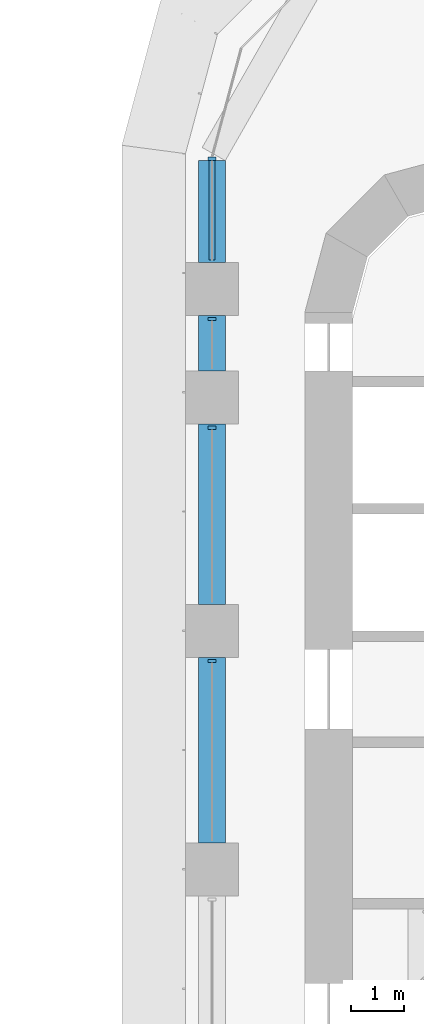
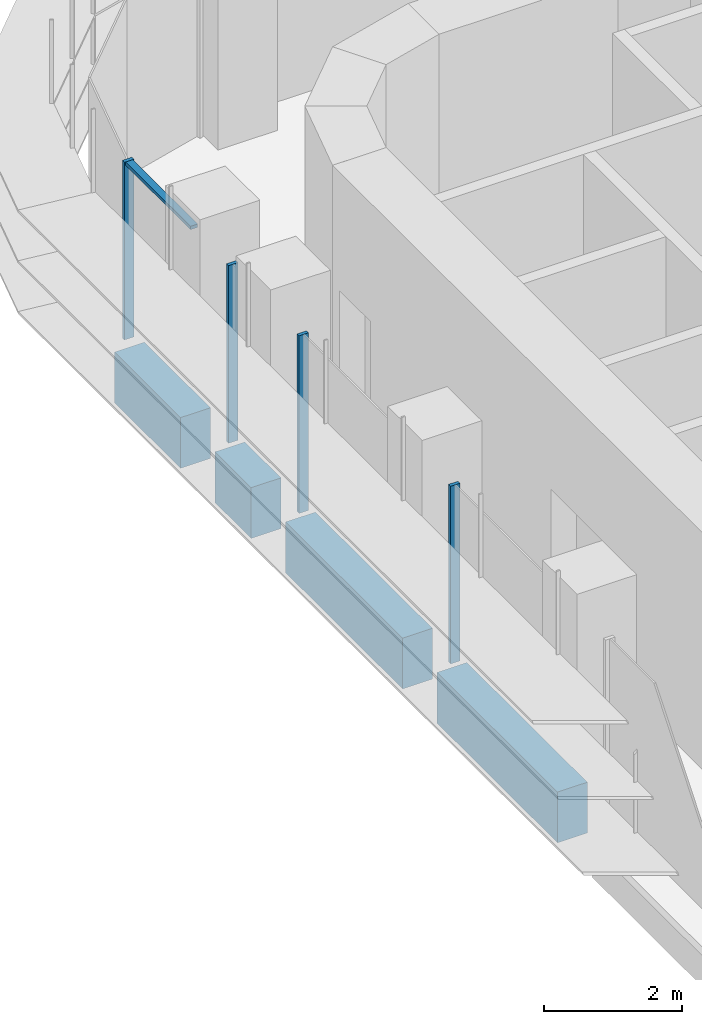
# One storey, part 7 of 23: 5 members, 4 beams, 1 element without a shape of its own.
"""IFC4 building model written with IfcOpenShell, lengths in metres."""

import ifcopenshell
import ifcopenshell.guid

model = None  # the IFC model being written
_history = None  # IfcOwnerHistory: only IFC2X3 demands one
_inside = {}  # id of a spatial element -> (the spatial element, [elements in it])
_under = {}  # id of a project, library or spatial element -> (it, [spatial elements below it])
_declared = {}  # id of a project -> (the project, [libraries it declares])
_typed = {}  # id of a type object -> (the type object, [elements of that type])
_made_of = {}  # id of a material, layer set ... -> (it, [elements and type objects made of it])


def new_model(schema):
    """Start an empty IFC model of exactly this schema.

    Asked for "IFC4X3", IfcOpenShell would pick the latest addendum, in which some entities
    have other attributes; the version numbers below select the first issue.
    IFC2X3 requires an IfcOwnerHistory on every rooted entity: one is made here for all.
    """
    global model, _history
    if schema == "IFC4X3":
        model = ifcopenshell.file(schema_version=(4, 3, 0, 0))
    else:
        model = ifcopenshell.file(schema=schema)
    _inside.clear()
    _under.clear()
    _declared.clear()
    _typed.clear()
    _made_of.clear()
    _history = None
    if model.schema == "IFC2X3":
        org = make("IfcOrganization", Name="unknown")
        user = make(
            "IfcPersonAndOrganization",
            ThePerson=make("IfcPerson", FamilyName="unknown"),
            TheOrganization=org,
        )
        app = make(
            "IfcApplication",
            ApplicationDeveloper=org,
            Version="unknown",
            ApplicationFullName="unknown",
            ApplicationIdentifier="unknown",
        )
        _history = make(
            "IfcOwnerHistory",
            OwningUser=user,
            OwningApplication=app,
            ChangeAction="ADDED",
            CreationDate=0,
        )
    return model


def make(cls, **values):
    """One entity of the class cls with the attributes given. An attribute that is None is left unset."""
    return model.create_entity(
        cls, **{name: value for name, value in values.items() if value is not None}
    )


def rooted(cls, **values):
    """An entity with a GlobalId (a new one), such as an element, a storey or a relation."""
    return make(cls, GlobalId=ifcopenshell.guid.new(), OwnerHistory=_history, **values)


def si_unit(unit_type, name, prefix=None):
    """IfcSIUnit, for example si_unit("LENGTHUNIT", "METRE", prefix="MILLI")."""
    return make("IfcSIUnit", UnitType=unit_type, Prefix=prefix, Name=name)


def assignment(units):
    """IfcUnitAssignment: the units of a project."""
    return None if units is None else make("IfcUnitAssignment", Units=units)


def point(xyz):
    """IfcCartesianPoint."""
    return None if xyz is None else make("IfcCartesianPoint", Coordinates=xyz)


def direction(xyz):
    """IfcDirection."""
    return None if xyz is None else make("IfcDirection", DirectionRatios=xyz)


def frame(location, z_axis=None, x_axis=None):
    """IfcAxis2Placement3D, a coordinate frame: its origin and axes. An axis left out is left unset."""
    return make(
        "IfcAxis2Placement3D",
        Location=point(location),
        Axis=direction(z_axis),
        RefDirection=direction(x_axis),
    )


def frame_2d(location, x_axis=None):
    """IfcAxis2Placement2D, a coordinate frame in the plane: its origin and x axis."""
    return make(
        "IfcAxis2Placement2D", Location=point(location), RefDirection=direction(x_axis)
    )


def origin():
    """The frame at (0, 0, 0) with its axes left unset."""
    return frame((0.0, 0.0, 0.0))


def origin_2d():
    """The frame at (0, 0) in the plane with its x axis left unset."""
    return frame_2d((0.0, 0.0))


def place(relative_to, where):
    """IfcLocalPlacement: puts the frame where relative to a parent placement (None: the world)."""
    return make(
        "IfcLocalPlacement", PlacementRelTo=relative_to, RelativePlacement=where
    )


def context(
    kind, dimensions, precision=None, world=None, true_north=None, identifier=None
):
    """IfcGeometricRepresentationContext, for example the 3D "Model" context."""
    return make(
        "IfcGeometricRepresentationContext",
        ContextIdentifier=identifier,
        ContextType=kind,
        CoordinateSpaceDimension=dimensions,
        Precision=precision,
        WorldCoordinateSystem=world,
        TrueNorth=true_north,
    )


def subcontext(parent, identifier, kind, view, scale=None):
    """IfcGeometricRepresentationSubContext, for example "Body" below "Model"."""
    return make(
        "IfcGeometricRepresentationSubContext",
        ContextIdentifier=identifier,
        ContextType=kind,
        ParentContext=parent,
        TargetScale=scale,
        TargetView=view,
    )


def project(units=None, contexts=None):
    """IfcProject with its units and contexts."""
    return rooted(
        "IfcProject",
        Name="project",
        RepresentationContexts=contexts,
        UnitsInContext=assignment(units),
    )


def spatial(cls, under=None, at=None, **own):
    """A site, building, storey or space (cls), placed at a placement, below another one or the project."""
    s = rooted(cls, ObjectPlacement=at, **own)
    if under is not None:
        _under.setdefault(under.id(), (under, []))[1].append(s)
    return s


def polyline(points):
    """IfcPolyline through the points."""
    return make("IfcPolyline", Points=[point(p) for p in points])


def profile(cls, at=None, kind="AREA", **sizes):
    """A parametric profile (cls). Its sizes go by their IFC names, for example OverallWidth=200.0."""
    return make(cls, ProfileType=kind, Position=at, **sizes)


def rectangle(**sizes):
    """IfcRectangleProfileDef."""
    return profile("IfcRectangleProfileDef", **sizes)


def outline(outer, holes=None, kind="AREA"):
    """IfcArbitraryClosedProfileDef: a profile drawn as a closed curve; with holes, ...WithVoids."""
    if holes is None:
        return make("IfcArbitraryClosedProfileDef", ProfileType=kind, OuterCurve=outer)
    return make(
        "IfcArbitraryProfileDefWithVoids",
        ProfileType=kind,
        OuterCurve=outer,
        InnerCurves=holes,
    )


def extrude(swept, where, along, depth):
    """IfcExtrudedAreaSolid: the profile swept, set in the frame where, extruded along a direction by depth."""
    return make(
        "IfcExtrudedAreaSolid",
        SweptArea=swept,
        Position=where,
        ExtrudedDirection=direction(along),
        Depth=depth,
    )


def shape(context_of_items, identifier, shape_type, items):
    """IfcShapeRepresentation: the items that make up one representation, for example the "Body"."""
    return make(
        "IfcShapeRepresentation",
        ContextOfItems=context_of_items,
        RepresentationIdentifier=identifier,
        RepresentationType=shape_type,
        Items=items,
    )


def source(mapping_origin, context_of_items, identifier, shape_type, items):
    """IfcRepresentationMap: a shape defined once, which mapped items show again and again."""
    return make(
        "IfcRepresentationMap",
        MappingOrigin=mapping_origin,
        MappedRepresentation=shape(context_of_items, identifier, shape_type, items),
    )


def transform(
    local_origin,
    x_axis=None,
    y_axis=None,
    z_axis=None,
    scale=None,
    scale2=None,
    scale3=None,
    uniform=True,
):
    """IfcCartesianTransformationOperator3D, or its non-uniform kind. x_axis, y_axis, z_axis: its Axis1, 2, 3."""
    if uniform:
        return make(
            "IfcCartesianTransformationOperator3D",
            Axis1=direction(x_axis),
            Axis2=direction(y_axis),
            LocalOrigin=point(local_origin),
            Scale=scale,
            Axis3=direction(z_axis),
        )
    return make(
        "IfcCartesianTransformationOperator3DnonUniform",
        Axis1=direction(x_axis),
        Axis2=direction(y_axis),
        LocalOrigin=point(local_origin),
        Scale=scale,
        Axis3=direction(z_axis),
        Scale2=scale2,
        Scale3=scale3,
    )


def mapped(mapping_source, mapping_target):
    """IfcMappedItem: shows the shape of a source again, moved by a transform."""
    return make(
        "IfcMappedItem", MappingSource=mapping_source, MappingTarget=mapping_target
    )


def material(Name=None, Category=None):
    """IfcMaterial."""
    return make("IfcMaterial", Name=Name, Category=Category)


def material_profile(
    of_material, cross_section, Name=None, Category=None, Priority=None
):
    """IfcMaterialProfile: a cross section and its material."""
    return make(
        "IfcMaterialProfile",
        Name=Name,
        Material=of_material,
        Profile=cross_section,
        Priority=Priority,
        Category=Category,
    )


def profile_set(profiles, Name=None, composite=None):
    """IfcMaterialProfileSet."""
    return make(
        "IfcMaterialProfileSet",
        Name=Name,
        MaterialProfiles=profiles,
        CompositeProfile=composite,
    )


def made_of(thing, what):
    """Note that an element or type object is made of a material, layer set ...; save() writes the relation."""
    if what is not None:
        _made_of.setdefault(what.id(), (what, []))[1].append(thing)
    return thing


def type_object(cls, material=None, **own):
    """A type object (cls), such as IfcWallType, which elements share."""
    return made_of(rooted(cls, **own), material)


def element(
    cls,
    number,
    at=None,
    inside=None,
    cuts=None,
    type_object=None,
    material=None,
    context=None,
    identifier="Body",
    shape_type=None,
    held_by="IfcProductDefinitionShape",
    body=None,
    shapes=None,
    **own,
):
    """One element of the class cls, such as IfcWall. Its Tag is "e" and its number.

    at: its placement. inside: the storey or other place that contains it. cuts: it is an
    opening in that element (IfcRelVoidsElement). A single representation is given by context,
    identifier, shape_type and body (its items); several are given by shapes. held_by: the class
    of the entity that holds the representations. save() writes the other relations.
    """
    e = rooted(cls, Tag="e%d" % number, ObjectPlacement=at, **own)
    if body is not None:
        shapes = [shape(context, identifier, shape_type, body)]
    if shapes is not None:
        e.Representation = make(held_by, Representations=shapes)
    if inside is not None:
        _inside.setdefault(inside.id(), (inside, []))[1].append(e)
    if cuts is not None:
        rooted(
            "IfcRelVoidsElement", RelatingBuildingElement=cuts, RelatedOpeningElement=e
        )
    if type_object is not None:
        _typed.setdefault(type_object.id(), (type_object, []))[1].append(e)
    return made_of(e, material)


def aggregate(whole, parts):
    """IfcRelAggregates: a whole, such as a stair, and the parts it consists of."""
    return rooted("IfcRelAggregates", RelatingObject=whole, RelatedObjects=parts)


def save(model, path):
    """Write the relations noted so far, then the file.

    IfcRelAggregates (storeys below a building ...), IfcRelContainedInSpatialStructure (elements
    in a storey), IfcRelDefinesByType, IfcRelAssociatesMaterial and IfcRelDeclares: one each for
    every whole, place, type object, material and project.
    """
    for whole, parts in _under.values():
        aggregate(whole, parts)
    for where, things in _inside.values():
        rooted(
            "IfcRelContainedInSpatialStructure",
            RelatedElements=things,
            RelatingStructure=where,
        )
    for kind, things in _typed.values():
        rooted("IfcRelDefinesByType", RelatedObjects=things, RelatingType=kind)
    for what, things in _made_of.values():
        rooted("IfcRelAssociatesMaterial", RelatedObjects=things, RelatingMaterial=what)
    for by, libraries in _declared.values():
        rooted("IfcRelDeclares", RelatingContext=by, RelatedDefinitions=libraries)
    model.write(path)


model = new_model("IFC4")

# Units and contexts
model_context = context("Model", 3, precision=1e-05, world=origin(), true_north=direction((0.0, 1.0)))
body_context = subcontext(model_context, "Body", "Model", "MODEL_VIEW")
ifc_project = project(units=[si_unit("LENGTHUNIT", "METRE"), si_unit("AREAUNIT", "SQUARE_METRE"), si_unit("VOLUMEUNIT", "CUBIC_METRE"), si_unit("PLANEANGLEUNIT", "RADIAN"), si_unit("MASSUNIT", "GRAM", prefix="KILO")], contexts=[model_context])

# Site, building, storey
site_placement = place(None, origin())
site = spatial("IfcSite", under=ifc_project, at=site_placement, CompositionType="ELEMENT")
building_placement = place(site_placement, origin())
building = spatial("IfcBuilding", under=site, at=building_placement, Name="Zarbagh Exchange Tower", CompositionType="ELEMENT")
storey_placement = place(building_placement, frame((0.0, 0.0, 39.60009765625)))
storey = spatial("IfcBuildingStorey", under=building, at=storey_placement, Name="L08", CompositionType="ELEMENT", Elevation=39.60009765625)

# Beams
ifc_material_1 = material(Name="Concrete C60/75", Category="concrete")
ifc_material_profile = material_profile(ifc_material_1, rectangle(XDim=0.5, YDim=0.89990234375, at=origin_2d()), Name="RC spandrel beam 500 x 900 C60/75")
ifc_profile_set = profile_set([ifc_material_profile], Name="Concrete C60/75")
beam_type = type_object("IfcBeamType", Name="RC spandrel beam 500 x 900 C60/75", PredefinedType="SPANDREL", material=ifc_profile_set)
beam_1_placement = place(storey_placement, frame((-6.25, 16.25, -0.60009765625), z_axis=(0.0, 1.0, 0.0), x_axis=(-1.0, 0.0, 0.0)))
element("IfcBeam", 1, at=beam_1_placement, inside=storey, type_object=beam_type, Name="RC spandrel beam", PredefinedType="SPANDREL", context=body_context, shape_type="SweptSolid", body=[
    extrude(rectangle(XDim=0.5, YDim=0.89990234375, at=origin_2d()), origin(), (0.0, 0.0, 1.0), 3.5),
])
beam_2_placement = place(storey_placement, frame((-6.25, 20.75, -0.60009765625), z_axis=(0.0, 1.0, 0.0), x_axis=(-1.0, 0.0, 0.0)))
element("IfcBeam", 2, at=beam_2_placement, inside=storey, type_object=beam_type, Name="RC spandrel beam", PredefinedType="SPANDREL", context=body_context, shape_type="SweptSolid", body=[
    extrude(rectangle(XDim=0.5, YDim=0.89990234375, at=origin_2d()), origin(), (0.0, 0.0, 1.0), 3.39990234375),
])
beam_3_placement = place(storey_placement, frame((-6.25, 25.14990234375, -0.60009765625), z_axis=(0.0, 1.0, 0.0), x_axis=(-1.0, 0.0, 0.0)))
element("IfcBeam", 3, at=beam_3_placement, inside=storey, type_object=beam_type, Name="RC spandrel beam", PredefinedType="SPANDREL", context=body_context, shape_type="SweptSolid", body=[
    extrude(rectangle(XDim=0.5, YDim=0.89990234375, at=origin_2d()), origin(), (0.0, 0.0, 1.0), 1.050048828125),
])
beam_4_placement = place(storey_placement, frame((-6.25, 27.199951171875, -0.60009765625), z_axis=(0.0, 1.0, 0.0), x_axis=(-1.0, 0.0, 0.0)))
element("IfcBeam", 4, at=beam_4_placement, inside=storey, type_object=beam_type, Name="RC spandrel beam", PredefinedType="SPANDREL", context=body_context, shape_type="SweptSolid", body=[
    extrude(rectangle(XDim=0.5, YDim=0.89990234375, at=origin_2d()), origin(), (0.0, 0.0, 1.0), 1.91796875),
])

# Curtain wall, members
ifc_material_2 = material(Name="Anodised aluminium frame and glazing", Category="aluminium")
curtain_wall_type = type_object("IfcCurtainWallType", Name="CWA Ribbon glazing, lower zones", PredefinedType="NOTDEFINED", material=ifc_material_2)
curtain_wall_placement = place(storey_placement, origin())
curtain_wall = element("IfcCurtainWall", 5, at=curtain_wall_placement, inside=storey, type_object=curtain_wall_type, Name="CWA28 curtain wall", PredefinedType="NOTDEFINED")
ifc_material_3 = material(Name="Anodised aluminium frame", Category="aluminium")
member_type_1 = type_object("IfcMemberType", Name="MUA Mullion, anodised aluminium frame", PredefinedType="MULLION", material=ifc_material_3)
shared_shape_1 = source(origin(), body_context, "Body", "SweptSolid", [
    extrude(outline(polyline([(0.0, -0.080078125), (0.06005859375, -0.080078125), (0.06005859375, 0.080078125), (0.0, 0.080078125), (0.0, -0.080078125)])), origin(), (0.0, 0.0, 1.0), 3.14990234375),
])
placement = place(storey_placement, origin())
member_1 = element("IfcMember", 6, at=placement, type_object=member_type_1, Name="CWA28 mullion 1.1", PredefinedType="MULLION", context=body_context, shape_type="MappedRepresentation", body=[
    mapped(shared_shape_1, transform((-6.25, 29.18408203125, 0.0), x_axis=(0.0, -1.0, 0.0), y_axis=(1.0, 0.0, 0.0), z_axis=(0.0, 0.0, 1.0))),
])
member_2 = element("IfcMember", 7, at=placement, type_object=member_type_1, Name="CWA28 mullion 2.1", PredefinedType="MULLION", context=body_context, shape_type="MappedRepresentation", body=[
    mapped(shared_shape_1, transform((-6.25, 26.159912109375, 0.0), x_axis=(0.0, -1.0, 0.0), y_axis=(1.0, 0.0, 0.0), z_axis=(0.0, 0.0, 1.0))),
])
member_3 = element("IfcMember", 8, at=placement, type_object=member_type_1, Name="CWA28 mullion 3.1", PredefinedType="MULLION", context=body_context, shape_type="MappedRepresentation", body=[
    mapped(shared_shape_1, transform((-6.25, 24.10986328125, 0.0), x_axis=(0.0, -1.0, 0.0), y_axis=(1.0, 0.0, 0.0), z_axis=(0.0, 0.0, 1.0))),
])
member_4 = element("IfcMember", 9, at=placement, type_object=member_type_1, Name="CWA28 mullion 4.1", PredefinedType="MULLION", context=body_context, shape_type="MappedRepresentation", body=[
    mapped(shared_shape_1, transform((-6.25, 19.7099609375, 0.0), x_axis=(0.0, -1.0, 0.0), y_axis=(1.0, 0.0, 0.0), z_axis=(0.0, 0.0, 1.0))),
])
member_type_2 = type_object("IfcMemberType", Name="TRA Transom, anodised aluminium frame", PredefinedType="USERDEFINED", material=ifc_material_3)
shared_shape_2 = source(origin(), body_context, "Body", "SweptSolid", [
    extrude(outline(polyline([(-0.06005859375, -0.06005859375), (0.0, -0.06005859375), (0.0, 0.06005859375), (-0.06005859375, 0.06005859375), (-0.06005859375, -0.06005859375)])), origin(), (0.0, 0.0, 1.0), 1.88427734375),
])
member_5 = element("IfcMember", 10, at=placement, type_object=member_type_2, Name="CWA28 transom 1.1", ObjectType="TRANSOM", PredefinedType="USERDEFINED", context=body_context, shape_type="MappedRepresentation", body=[
    mapped(shared_shape_2, transform((-6.25, 29.124267578125, 3.14990234375), x_axis=(0.0, 0.0, 1.0), y_axis=(-1.0, 0.0, 0.0), z_axis=(0.0, -1.0, 0.0))),
])
aggregate(curtain_wall, [member_1, member_5, member_2, member_3, member_4])

save(model, "model.ifc")
